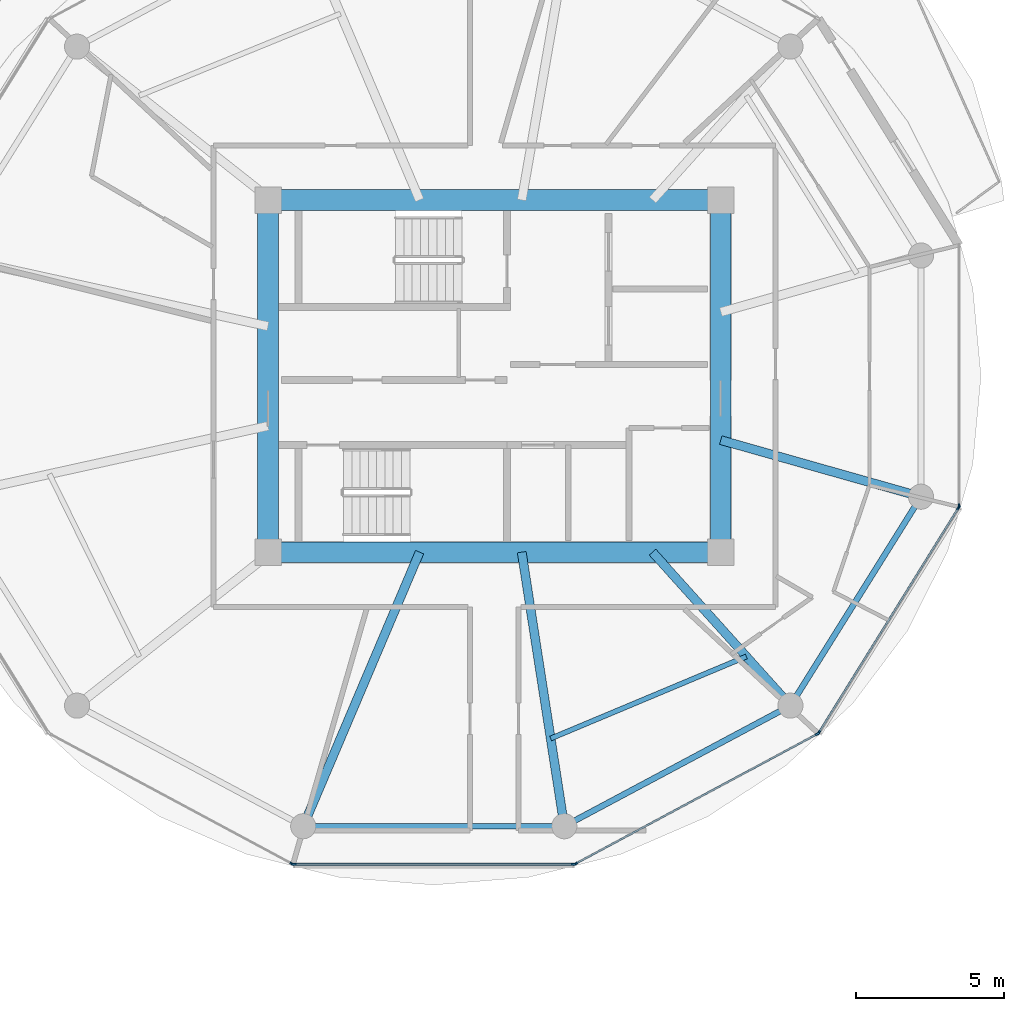
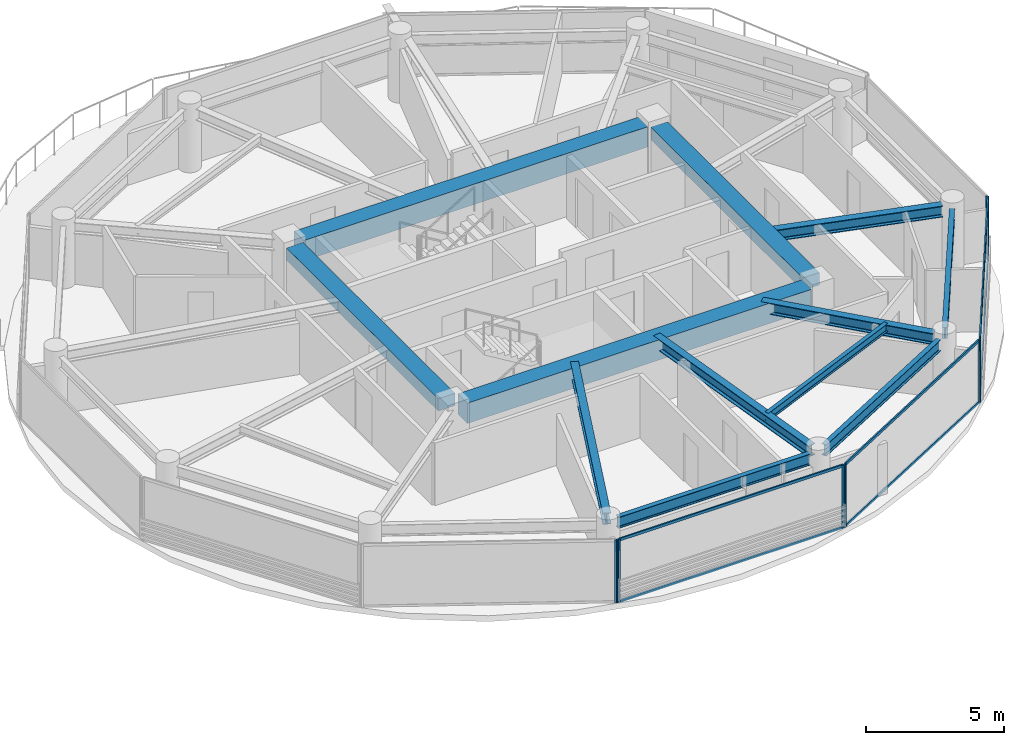
# One storey, part 10 of 24: 14 members, 12 beams, 5 elements without a shape of their own.
"""IFC4 building model written with IfcOpenShell, lengths in metres."""

from ifc_helpers import new_model, si_unit, direction, frame, origin, origin_2d, place, context, subcontext, project, spatial, rectangle, i_section, extrude, source, transform, mapped, material, layer, layer_set, material_profile, profile_set, type_object, type_shapes, element, aggregate, save


model = new_model("IFC4")

# Units and contexts
model_context = context("Model", 3, precision=1e-05, world=origin(), true_north=direction((0.0, 1.0)))
body_context = subcontext(model_context, "Body", "Model", "MODEL_VIEW")
ifc_project = project(units=[si_unit("LENGTHUNIT", "METRE"), si_unit("AREAUNIT", "SQUARE_METRE"), si_unit("VOLUMEUNIT", "CUBIC_METRE"), si_unit("PLANEANGLEUNIT", "RADIAN"), si_unit("MASSUNIT", "GRAM", prefix="KILO")], contexts=[model_context])

# Site, building, storey
site_placement = place(None, origin())
site = spatial("IfcSite", under=ifc_project, at=site_placement, CompositionType="ELEMENT")
building_placement = place(site_placement, origin())
building = spatial("IfcBuilding", under=site, at=building_placement, Name="Norrkilde Senior Care Towers", CompositionType="ELEMENT")
storey_placement = place(building_placement, frame((0.0, 0.0, 117.60009765625)))
storey = spatial("IfcBuildingStorey", under=building, at=storey_placement, Name="L36", CompositionType="ELEMENT", Elevation=117.60009765625)

# Beams
ifc_material_1 = material(Name="Concrete C60/75", Category="concrete")
ifc_material_profile_1 = material_profile(ifc_material_1, rectangle(XDim=0.699951171875, YDim=0.89990234375, at=origin_2d()), Name="RC BM 700x900")
ifc_profile_set_1 = profile_set([ifc_material_profile_1], Name="Concrete C60/75")
beam_type_1 = type_object("IfcBeamType", Name="Core Coupling Girder 700x900", PredefinedType="USERDEFINED", material=ifc_profile_set_1)
shared_shape_1 = source(origin(), body_context, "Body", "SweptSolid", [
    extrude(rectangle(XDim=0.699951171875, YDim=0.89990234375, at=origin_2d()), origin(), (0.0, 0.0, 1.0), 14.43994140625),
])
type_shapes(beam_type_1, [shared_shape_1])
for number, where, z_axis, x_axis, name in (
    (1, (20.780029296875, 5.949951171875, 2.33984375), (1.0, 0.0, 0.0), (0.0, 1.0, 0.0), "L36 Core E N Coupling Girder"),
    (2, (20.780029296875, -5.949951171875, 2.33984375), (1.0, 0.0, 0.0), (0.0, 1.0, 0.0), "L36 Core E S Coupling Girder"),
):
    element("IfcBeam", number, at=place(storey_placement, frame(where, z_axis=z_axis, x_axis=x_axis)), inside=storey, type_object=beam_type_1, Name=name, ObjectType="GIRDER", PredefinedType="USERDEFINED", context=body_context, shape_type="MappedRepresentation", body=[
        mapped(shared_shape_1, transform((0.0, 0.0, 0.0), x_axis=(1.0, 0.0, 0.0), y_axis=(0.0, 1.0, 0.0), z_axis=(0.0, 0.0, 1.0), scale=1.0)),
    ])
ifc_material_profile_2 = material_profile(ifc_material_1, rectangle(XDim=0.699951171875, YDim=0.550048828125, at=origin_2d()), Name="RC BM 700x550")
ifc_profile_set_2 = profile_set([ifc_material_profile_2], Name="Concrete C60/75")
beam_type_2 = type_object("IfcBeamType", Name="Core Portal Coupling Beam 700x550", PredefinedType="USERDEFINED", material=ifc_profile_set_2)
shared_shape_2 = source(origin(), body_context, "Body", "SweptSolid", [
    extrude(rectangle(XDim=0.699951171875, YDim=0.550048828125, at=origin_2d()), origin(), (0.0, 0.0, 1.0), 11.0400390625),
])
type_shapes(beam_type_2, [shared_shape_2])
for number, where, z_axis, x_axis, name in (
    (3, (20.35009765625, -5.52001953125, 2.514892578125), (0.0, 1.0, 0.0), (-1.0, 0.0, 0.0), "L36 Core E W Coupling Girder"),
    (4, (35.64990234375, -5.52001953125, 2.514892578125), (0.0, 1.0, 0.0), (-1.0, 0.0, 0.0), "L36 Core E E Coupling Girder"),
):
    element("IfcBeam", number, at=place(storey_placement, frame(where, z_axis=z_axis, x_axis=x_axis)), inside=storey, type_object=beam_type_2, Name=name, ObjectType="GIRDER", PredefinedType="USERDEFINED", context=body_context, shape_type="MappedRepresentation", body=[
        mapped(shared_shape_2, transform((0.0, 0.0, 0.0), x_axis=(1.0, 0.0, 0.0), y_axis=(0.0, 1.0, 0.0), z_axis=(0.0, 0.0, 1.0), scale=1.0)),
    ])
ifc_material_2 = material(Name="Steel S355", Category="steel")
ifc_material_profile_3 = material_profile(ifc_material_2, i_section(OverallWidth=0.199951171875, OverallDepth=0.5, WebThickness=0.01025390625, FlangeThickness=0.01611328125, FilletRadius=0.02099609375, at=origin_2d()), Name="IPE 500")
ifc_profile_set_3 = profile_set([ifc_material_profile_3], Name="Steel S355")
beam_type_3 = type_object("IfcBeamType", Name="Perimeter Ring Spandrel Z2 IPE500", PredefinedType="SPANDREL", material=ifc_profile_set_3)
shared_shape_3 = source(origin(), body_context, "Body", "SweptSolid", [
    extrude(i_section(OverallWidth=0.199951171875, OverallDepth=0.5, WebThickness=0.01025390625, FlangeThickness=0.01611328125, FilletRadius=0.02099609375, at=origin_2d()), origin(), (0.0, 0.0, 1.0), 7.892333984375),
])
beam_1_placement = place(storey_placement, frame((30.70263671875, -15.0322265625, 2.539794921875), z_axis=(0.882350372282, 0.47059305194, 0.0), x_axis=(-0.47059305194, 0.882350372282, 0.0)))
element("IfcBeam", 5, at=beam_1_placement, inside=storey, type_object=beam_type_3, Name="L36 Drum E Perimeter Spandrel 10", PredefinedType="SPANDREL", context=body_context, shape_type="MappedRepresentation", body=[
    mapped(shared_shape_3, transform((0.0, 0.0, 0.0), x_axis=(1.0, 0.0, 0.0), y_axis=(0.0, 1.0, 0.0), z_axis=(0.0, 0.0, 1.0), scale=1.0)),
])
shared_shape_4 = source(origin(), body_context, "Body", "SweptSolid", [
    extrude(i_section(OverallWidth=0.199951171875, OverallDepth=0.5, WebThickness=0.01025390625, FlangeThickness=0.01611328125, FilletRadius=0.02099609375, at=origin_2d()), origin(), (0.0, 0.0, 1.0), 8.0556640625),
])
beam_2_placement = place(storey_placement, frame((21.922119140625, -15.21337890625, 2.539794921875), z_axis=(1.0, 0.0, 0.0), x_axis=(0.0, 1.0, 0.0)))
element("IfcBeam", 6, at=beam_2_placement, inside=storey, type_object=beam_type_3, Name="L36 Drum E Perimeter Spandrel 09", PredefinedType="SPANDREL", context=body_context, shape_type="MappedRepresentation", body=[
    mapped(shared_shape_4, transform((0.0, 0.0, 0.0), x_axis=(1.0, 0.0, 0.0), y_axis=(0.0, 1.0, 0.0), z_axis=(0.0, 0.0, 1.0), scale=1.0)),
])
ifc_material_profile_4 = material_profile(ifc_material_2, i_section(OverallWidth=0.300048828125, OverallDepth=0.5, WebThickness=0.014404296875, FlangeThickness=0.028076171875, FilletRadius=0.027099609375, at=origin_2d()), Name="HEB 500")
ifc_profile_set_4 = profile_set([ifc_material_profile_4], Name="Steel S355")
beam_type_4 = type_object("IfcBeamType", Name="Radial Floor Beam Z2 HEB500", PredefinedType="BEAM", material=ifc_profile_set_4)
shared_shape_5 = source(origin(), body_context, "Body", "SweptSolid", [
    extrude(i_section(OverallWidth=0.300048828125, OverallDepth=0.5, WebThickness=0.014404296875, FlangeThickness=0.028076171875, FilletRadius=0.027099609375, at=origin_2d()), origin(), (0.0, 0.0, 1.0), 9.679443359375),
])
beam_3_placement = place(storey_placement, frame((25.472412109375, -5.949951171875, 2.539794921875), z_axis=(-0.390998033479, -0.920391513333, 0.0), x_axis=(0.920391513333, -0.390998033479, 0.0)))
element("IfcBeam", 7, at=beam_3_placement, inside=storey, type_object=beam_type_4, Name="L36 Drum E Radial Floor Beam 09", PredefinedType="BEAM", context=body_context, shape_type="MappedRepresentation", body=[
    mapped(shared_shape_5, transform((0.0, 0.0, 0.0), x_axis=(1.0, 0.0, 0.0), y_axis=(0.0, 1.0, 0.0), z_axis=(0.0, 0.0, 1.0), scale=1.0)),
])
shared_shape_6 = source(origin(), body_context, "Body", "SweptSolid", [
    extrude(i_section(OverallWidth=0.300048828125, OverallDepth=0.5, WebThickness=0.014404296875, FlangeThickness=0.028076171875, FilletRadius=0.027099609375, at=origin_2d()), origin(), (0.0, 0.0, 1.0), 8.989501953125),
])
beam_4_placement = place(storey_placement, frame((28.924072265625, -5.949951171875, 2.539794921875), z_axis=(0.153471298636, -0.988153105796, 0.0), x_axis=(0.988153105796, 0.153471298636, 0.0)))
element("IfcBeam", 8, at=beam_4_placement, inside=storey, type_object=beam_type_4, Name="L36 Drum E Radial Floor Beam 10", PredefinedType="BEAM", context=body_context, shape_type="MappedRepresentation", body=[
    mapped(shared_shape_6, transform((0.0, 0.0, 0.0), x_axis=(1.0, 0.0, 0.0), y_axis=(0.0, 1.0, 0.0), z_axis=(0.0, 0.0, 1.0), scale=1.0)),
])
shared_shape_7 = source(origin(), body_context, "Body", "SweptSolid", [
    extrude(i_section(OverallWidth=0.199951171875, OverallDepth=0.5, WebThickness=0.01025390625, FlangeThickness=0.01611328125, FilletRadius=0.02099609375, at=origin_2d()), origin(), (0.0, 0.0, 1.0), 7.556396484375),
])
type_shapes(beam_type_3, [shared_shape_3, shared_shape_4, shared_shape_7])
beam_5_placement = place(storey_placement, frame((38.210205078125, -10.810546875, 2.539794921875), z_axis=(0.530004748437, 0.847994673706, 0.0), x_axis=(-0.847994673706, 0.530004748437, 0.0)))
element("IfcBeam", 9, at=beam_5_placement, inside=storey, type_object=beam_type_3, Name="L36 Drum E Perimeter Spandrel 11", PredefinedType="SPANDREL", context=body_context, shape_type="MappedRepresentation", body=[
    mapped(shared_shape_7, transform((0.0, 0.0, 0.0), x_axis=(1.0, 0.0, 0.0), y_axis=(0.0, 1.0, 0.0), z_axis=(0.0, 0.0, 1.0), scale=1.0)),
])
shared_shape_8 = source(origin(), body_context, "Body", "SweptSolid", [
    extrude(i_section(OverallWidth=0.300048828125, OverallDepth=0.5, WebThickness=0.014404296875, FlangeThickness=0.028076171875, FilletRadius=0.027099609375, at=origin_2d()), origin(), (0.0, 0.0, 1.0), 6.587890625),
])
beam_6_placement = place(storey_placement, frame((33.345947265625, -5.949951171875, 2.539794921875), z_axis=(0.668315438605, -0.743877997068, 0.0), x_axis=(0.743877997068, 0.668315438605, 0.0)))
element("IfcBeam", 10, at=beam_6_placement, inside=storey, type_object=beam_type_4, Name="L36 Drum E Radial Floor Beam 11", PredefinedType="BEAM", context=body_context, shape_type="MappedRepresentation", body=[
    mapped(shared_shape_8, transform((0.0, 0.0, 0.0), x_axis=(1.0, 0.0, 0.0), y_axis=(0.0, 1.0, 0.0), z_axis=(0.0, 0.0, 1.0), scale=1.0)),
])
shared_shape_9 = source(origin(), body_context, "Body", "SweptSolid", [
    extrude(i_section(OverallWidth=0.300048828125, OverallDepth=0.5, WebThickness=0.014404296875, FlangeThickness=0.028076171875, FilletRadius=0.027099609375, at=origin_2d()), origin(), (0.0, 0.0, 1.0), 6.6494140625),
])
type_shapes(beam_type_4, [shared_shape_5, shared_shape_6, shared_shape_8, shared_shape_9])
beam_7_placement = place(storey_placement, frame((35.64990234375, -2.162841796875, 2.539794921875), z_axis=(0.962289138357, -0.27202870106, 0.0), x_axis=(0.27202870106, 0.962289138357, 0.0)))
element("IfcBeam", 11, at=beam_7_placement, inside=storey, type_object=beam_type_4, Name="L36 Drum E Radial Floor Beam 12", PredefinedType="BEAM", context=body_context, shape_type="MappedRepresentation", body=[
    mapped(shared_shape_9, transform((0.0, 0.0, 0.0), x_axis=(1.0, 0.0, 0.0), y_axis=(0.0, 1.0, 0.0), z_axis=(0.0, 0.0, 1.0), scale=1.0)),
])
ifc_material_profile_5 = material_profile(ifc_material_2, i_section(OverallWidth=0.169921875, OverallDepth=0.360107421875, WebThickness=0.008056640625, FlangeThickness=0.0126953125, FilletRadius=0.01806640625, at=origin_2d()), Name="IPE 360")
ifc_profile_set_5 = profile_set([ifc_material_profile_5], Name="Steel S355")
beam_type_5 = type_object("IfcBeamType", Name="Secondary Floor Joist IPE360", PredefinedType="JOIST", material=ifc_profile_set_5)
shared_shape_10 = source(origin(), body_context, "Body", "SweptSolid", [
    extrude(i_section(OverallWidth=0.169921875, OverallDepth=0.360107421875, WebThickness=0.008056640625, FlangeThickness=0.0126953125, FilletRadius=0.01806640625, at=origin_2d()), origin(), (0.0, 0.0, 1.0), 7.169921875),
])
type_shapes(beam_type_5, [shared_shape_10])
beam_8_placement = place(storey_placement, frame((29.902587890625, -12.2490234375, 2.60986328125), z_axis=(0.922240600393, 0.386616444279, 0.0), x_axis=(-0.386616444279, 0.922240600393, 0.0)))
element("IfcBeam", 12, at=beam_8_placement, inside=storey, type_object=beam_type_5, Name="L36 Drum E Secondary Floor Joist 4", PredefinedType="JOIST", context=body_context, shape_type="MappedRepresentation", body=[
    mapped(shared_shape_10, transform((0.0, 0.0, 0.0), x_axis=(1.0, 0.0, 0.0), y_axis=(0.0, 1.0, 0.0), z_axis=(0.0, 0.0, 1.0), scale=1.0)),
])

# Curtain wall, member
ifc_material_3 = material(Name="Triple Low-E Insulated Glazing", Category="glass")
ifc_layer = layer(ifc_material_3, 0.195068359375)
ifc_layer_set = layer_set([ifc_layer], Name="Triple Low-E Insulated Glazing")
curtain_wall_type = type_object("IfcCurtainWallType", Name="CW3 Zone 2 Assisted Living Curtain Wall", PredefinedType="NOTDEFINED", material=ifc_layer_set)
curtain_wall_1_placement = place(storey_placement, origin())
curtain_wall_1 = element("IfcCurtainWall", 13, at=curtain_wall_1_placement, inside=storey, type_object=curtain_wall_type, Name="L36 Drum E Curtain Wall 07", PredefinedType="NOTDEFINED")
ifc_material_4 = material(Name="Anodised Aluminium", Category="aluminium")
ifc_material_profile_6 = material_profile(ifc_material_4, rectangle(XDim=0.06494140625, YDim=0.159912109375, at=origin_2d()), Name="ALU MULL 65x160")
ifc_profile_set_6 = profile_set([ifc_material_profile_6], Name="Anodised Aluminium")
member_type_1 = type_object("IfcMemberType", Name="Curtain Wall Mullion Z1-Z2 65x160", PredefinedType="MULLION", material=ifc_profile_set_6)
shared_shape_11 = source(origin(), body_context, "Body", "SweptSolid", [
    extrude(rectangle(XDim=0.06494140625, YDim=0.159912109375, at=origin_2d()), origin(), (0.0, 0.0, 1.0), 2.789794921875),
])
type_shapes(member_type_1, [shared_shape_11])
member_1_placement = place(storey_placement, frame((21.164306640625, -16.482666015625, 0.0), z_axis=(0.0, 0.0, 1.0), x_axis=(-0.472769402511, -0.881186184668, 0.0)))
member_1 = element("IfcMember", 14, at=member_1_placement, type_object=member_type_1, Name="CW-3 mullion 1", PredefinedType="MULLION", context=body_context, shape_type="MappedRepresentation", body=[
    mapped(shared_shape_11, transform((0.0, 0.0, 0.0), x_axis=(1.0, 0.0, 0.0), y_axis=(0.0, 1.0, 0.0), z_axis=(0.0, 0.0, 1.0), scale=1.0)),
])
aggregate(curtain_wall_1, [member_1])

# Curtain wall, members
curtain_wall_2_placement = place(storey_placement, origin())
curtain_wall_2 = element("IfcCurtainWall", 15, at=curtain_wall_2_placement, inside=storey, type_object=curtain_wall_type, Name="L36 Drum E Curtain Wall 08", PredefinedType="NOTDEFINED")
member_2_placement = place(storey_placement, frame((30.674560546875, -16.498046875, 0.0), z_axis=(0.0, 0.0, 1.0), x_axis=(0.0, -1.0, 0.0)))
member_2 = element("IfcMember", 16, at=member_2_placement, type_object=member_type_1, Name="CW-3 mullion 1", PredefinedType="MULLION", context=body_context, shape_type="MappedRepresentation", body=[
    mapped(shared_shape_11, transform((0.0, 0.0, 0.0), x_axis=(1.0, 0.0, 0.0), y_axis=(0.0, 1.0, 0.0), z_axis=(0.0, 0.0, 1.0), scale=1.0)),
])
member_3_placement = place(storey_placement, frame((21.225341796875, -16.498046875, 0.0), z_axis=(0.0, 0.0, 1.0), x_axis=(0.0, -1.0, 0.0)))
member_3 = element("IfcMember", 17, at=member_3_placement, type_object=member_type_1, Name="CW-3 mullion 2", PredefinedType="MULLION", context=body_context, shape_type="MappedRepresentation", body=[
    mapped(shared_shape_11, transform((0.0, 0.0, 0.0), x_axis=(1.0, 0.0, 0.0), y_axis=(0.0, 1.0, 0.0), z_axis=(0.0, 0.0, 1.0), scale=1.0)),
])

curtain_wall_3_placement = place(storey_placement, origin())
curtain_wall_3 = element("IfcCurtainWall", 18, at=curtain_wall_3_placement, inside=storey, type_object=curtain_wall_type, Name="L36 Drum E Curtain Wall 09", PredefinedType="NOTDEFINED")
member_4_placement = place(storey_placement, frame((38.91796875, -12.0927734375, 0.0), z_axis=(0.0, 0.0, 1.0), x_axis=(0.472769402511, -0.881186184668, 0.0)))
member_4 = element("IfcMember", 19, at=member_4_placement, type_object=member_type_1, Name="CW-3 mullion 1", PredefinedType="MULLION", context=body_context, shape_type="MappedRepresentation", body=[
    mapped(shared_shape_11, transform((0.0, 0.0, 0.0), x_axis=(1.0, 0.0, 0.0), y_axis=(0.0, 1.0, 0.0), z_axis=(0.0, 0.0, 1.0), scale=1.0)),
])
member_5_placement = place(storey_placement, frame((30.73583984375, -16.482666015625, 0.0), z_axis=(0.0, 0.0, 1.0), x_axis=(0.472769402511, -0.881186184668, 0.0)))
member_5 = element("IfcMember", 20, at=member_5_placement, type_object=member_type_1, Name="CW-3 mullion 2", PredefinedType="MULLION", context=body_context, shape_type="MappedRepresentation", body=[
    mapped(shared_shape_11, transform((0.0, 0.0, 0.0), x_axis=(1.0, 0.0, 0.0), y_axis=(0.0, 1.0, 0.0), z_axis=(0.0, 0.0, 1.0), scale=1.0)),
])

curtain_wall_4_placement = place(storey_placement, origin())
curtain_wall_4 = element("IfcCurtainWall", 21, at=curtain_wall_4_placement, inside=storey, type_object=curtain_wall_type, Name="L36 Drum E Curtain Wall 10", PredefinedType="NOTDEFINED")
member_6_placement = place(storey_placement, frame((43.6865234375, -4.4482421875, 0.0), z_axis=(0.0, 0.0, 1.0), x_axis=(0.849410171862, -0.527733228002, 0.0)))
member_6 = element("IfcMember", 22, at=member_6_placement, type_object=member_type_1, Name="CW-3 mullion 1", PredefinedType="MULLION", context=body_context, shape_type="MappedRepresentation", body=[
    mapped(shared_shape_11, transform((0.0, 0.0, 0.0), x_axis=(1.0, 0.0, 0.0), y_axis=(0.0, 1.0, 0.0), z_axis=(0.0, 0.0, 1.0), scale=1.0)),
])
member_7_placement = place(storey_placement, frame((38.9638671875, -12.0498046875, 0.0), z_axis=(0.0, 0.0, 1.0), x_axis=(0.849410171862, -0.527733228002, 0.0)))
member_7 = element("IfcMember", 23, at=member_7_placement, type_object=member_type_1, Name="CW-3 mullion 2", PredefinedType="MULLION", context=body_context, shape_type="MappedRepresentation", body=[
    mapped(shared_shape_11, transform((0.0, 0.0, 0.0), x_axis=(1.0, 0.0, 0.0), y_axis=(0.0, 1.0, 0.0), z_axis=(0.0, 0.0, 1.0), scale=1.0)),
])

# Curtain wall, member
curtain_wall_5_placement = place(storey_placement, origin())
curtain_wall_5 = element("IfcCurtainWall", 24, at=curtain_wall_5_placement, inside=storey, type_object=curtain_wall_type, Name="L36 Drum E Curtain Wall 11", PredefinedType="NOTDEFINED")
member_8_placement = place(storey_placement, frame((43.70361328125, -4.38818359375, 0.0), z_axis=(0.0, 0.0, 1.0), x_axis=(1.0, 0.0, 0.0)))
member_8 = element("IfcMember", 25, at=member_8_placement, type_object=member_type_1, Name="CW-3 mullion 2", PredefinedType="MULLION", context=body_context, shape_type="MappedRepresentation", body=[
    mapped(shared_shape_11, transform((0.0, 0.0, 0.0), x_axis=(1.0, 0.0, 0.0), y_axis=(0.0, 1.0, 0.0), z_axis=(0.0, 0.0, 1.0), scale=1.0)),
])
aggregate(curtain_wall_5, [member_8])

# Member
ifc_material_profile_7 = material_profile(ifc_material_4, rectangle(XDim=0.06005859375, YDim=0.1201171875, at=origin_2d()), Name="ALU TRAN 60x120")
ifc_profile_set_7 = profile_set([ifc_material_profile_7], Name="Anodised Aluminium")
member_type_2 = type_object("IfcMemberType", Name="Curtain Wall Transom Typical 60x120", PredefinedType="USERDEFINED", material=ifc_profile_set_7)
shared_shape_12 = source(origin(), body_context, "Body", "SweptSolid", [
    extrude(rectangle(XDim=0.06005859375, YDim=0.1201171875, at=origin_2d()), origin(), (0.0, 0.0, 1.0), 8.88427734375),
])
member_9_placement = place(storey_placement, frame((43.66943359375, -4.475830078125, 0.02978515625), z_axis=(-0.527729466743, -0.849412508697, 0.0), x_axis=(0.849412508697, -0.527729466743, 0.0)))
member_9 = element("IfcMember", 26, at=member_9_placement, type_object=member_type_2, Name="CW-3 transom 1.1", ObjectType="TRANSOM", PredefinedType="USERDEFINED", context=body_context, shape_type="MappedRepresentation", body=[
    mapped(shared_shape_12, transform((0.0, 0.0, 0.0), x_axis=(1.0, 0.0, 0.0), y_axis=(0.0, 1.0, 0.0), z_axis=(0.0, 0.0, 1.0), scale=1.0)),
])

member_10_placement = place(storey_placement, frame((43.66943359375, -4.475830078125, 2.760009765625), z_axis=(-0.527729466743, -0.849412508697, 0.0), x_axis=(0.849412508697, -0.527729466743, 0.0)))
member_10 = element("IfcMember", 27, at=member_10_placement, type_object=member_type_2, Name="CW-3 transom 1.2", ObjectType="TRANSOM", PredefinedType="USERDEFINED", context=body_context, shape_type="MappedRepresentation", body=[
    mapped(shared_shape_12, transform((0.0, 0.0, 0.0), x_axis=(1.0, 0.0, 0.0), y_axis=(0.0, 1.0, 0.0), z_axis=(0.0, 0.0, 1.0), scale=1.0)),
])

aggregate(curtain_wall_4, [member_6, member_7, member_9, member_10])

shared_shape_13 = source(origin(), body_context, "Body", "SweptSolid", [
    extrude(rectangle(XDim=0.06005859375, YDim=0.1201171875, at=origin_2d()), origin(), (0.0, 0.0, 1.0), 9.220458984375),
])
member_11_placement = place(storey_placement, frame((38.889404296875, -12.108154296875, 0.02978515625), z_axis=(-0.881188517866, -0.472765053681, 0.0), x_axis=(0.472765053681, -0.881188517866, 0.0)))
member_11 = element("IfcMember", 28, at=member_11_placement, type_object=member_type_2, Name="CW-3 transom 1.1", ObjectType="TRANSOM", PredefinedType="USERDEFINED", context=body_context, shape_type="MappedRepresentation", body=[
    mapped(shared_shape_13, transform((0.0, 0.0, 0.0), x_axis=(1.0, 0.0, 0.0), y_axis=(0.0, 1.0, 0.0), z_axis=(0.0, 0.0, 1.0), scale=1.0)),
])

member_12_placement = place(storey_placement, frame((38.889404296875, -12.108154296875, 2.760009765625), z_axis=(-0.881188517866, -0.472765053681, 0.0), x_axis=(0.472765053681, -0.881188517866, 0.0)))
member_12 = element("IfcMember", 29, at=member_12_placement, type_object=member_type_2, Name="CW-3 transom 1.2", ObjectType="TRANSOM", PredefinedType="USERDEFINED", context=body_context, shape_type="MappedRepresentation", body=[
    mapped(shared_shape_13, transform((0.0, 0.0, 0.0), x_axis=(1.0, 0.0, 0.0), y_axis=(0.0, 1.0, 0.0), z_axis=(0.0, 0.0, 1.0), scale=1.0)),
])

aggregate(curtain_wall_3, [member_4, member_5, member_11, member_12])

shared_shape_14 = source(origin(), body_context, "Body", "SweptSolid", [
    extrude(rectangle(XDim=0.06005859375, YDim=0.1201171875, at=origin_2d()), origin(), (0.0, 0.0, 1.0), 9.38427734375),
])
type_shapes(member_type_2, [shared_shape_12, shared_shape_13, shared_shape_14])
member_13_placement = place(storey_placement, frame((30.64208984375, -16.498046875, 0.02978515625), z_axis=(-1.0, 0.0, 0.0), x_axis=(0.0, -1.0, 0.0)))
member_13 = element("IfcMember", 30, at=member_13_placement, type_object=member_type_2, Name="CW-3 transom 1.1", ObjectType="TRANSOM", PredefinedType="USERDEFINED", context=body_context, shape_type="MappedRepresentation", body=[
    mapped(shared_shape_14, transform((0.0, 0.0, 0.0), x_axis=(1.0, 0.0, 0.0), y_axis=(0.0, 1.0, 0.0), z_axis=(0.0, 0.0, 1.0), scale=1.0)),
])

member_14_placement = place(storey_placement, frame((30.64208984375, -16.498046875, 2.760009765625), z_axis=(-1.0, 0.0, 0.0), x_axis=(0.0, -1.0, 0.0)))
member_14 = element("IfcMember", 31, at=member_14_placement, type_object=member_type_2, Name="CW-3 transom 1.2", ObjectType="TRANSOM", PredefinedType="USERDEFINED", context=body_context, shape_type="MappedRepresentation", body=[
    mapped(shared_shape_14, transform((0.0, 0.0, 0.0), x_axis=(1.0, 0.0, 0.0), y_axis=(0.0, 1.0, 0.0), z_axis=(0.0, 0.0, 1.0), scale=1.0)),
])

aggregate(curtain_wall_2, [member_2, member_3, member_13, member_14])

save(model, "model.ifc")
